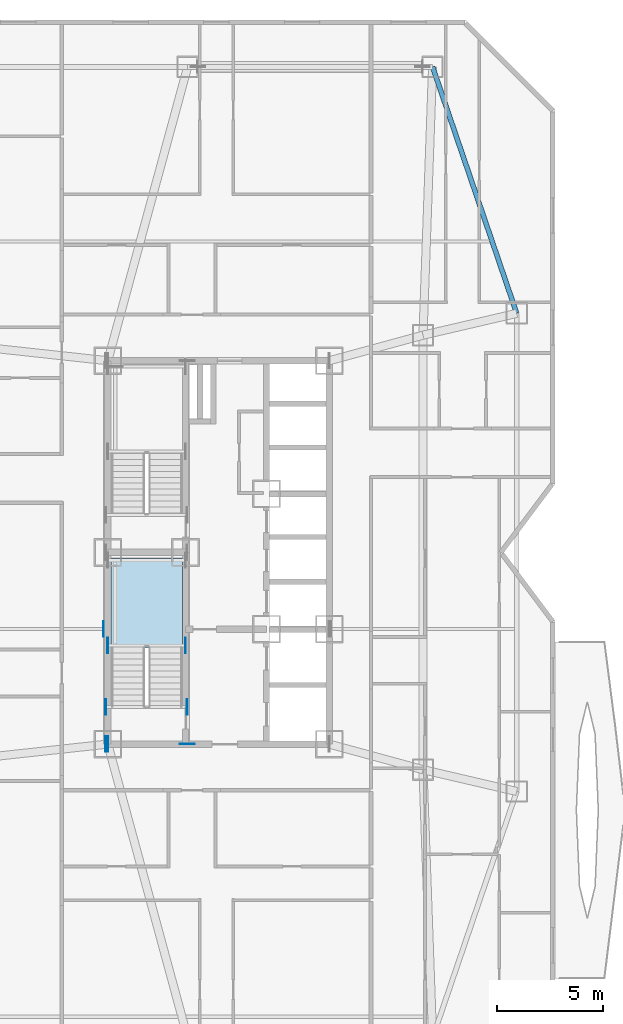
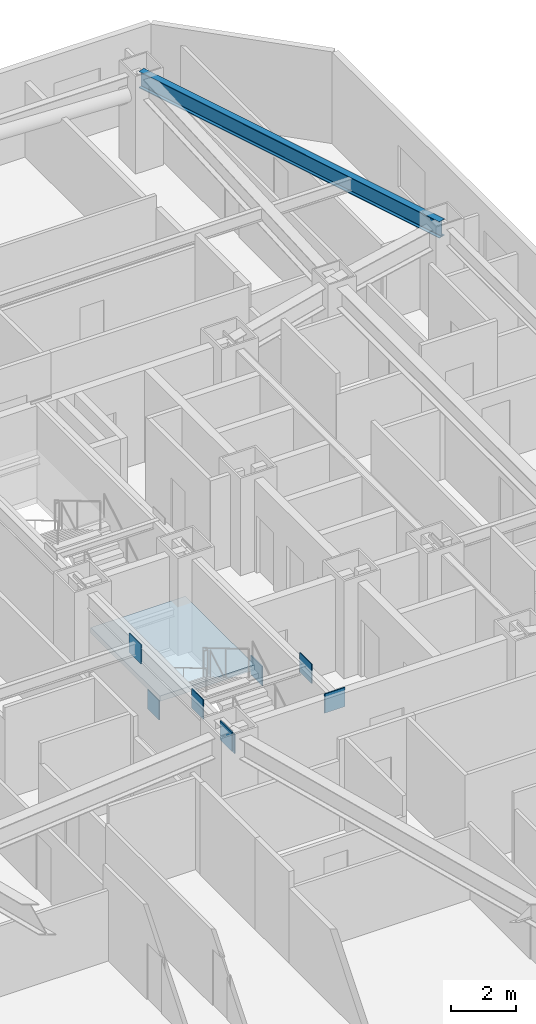
# One storey, part 2 of 16: 8 plates, 1 beam, 1 slab, 1 element without a shape of its own.
"""IFC4 building model written with IfcOpenShell, lengths in metres."""

from ifc_helpers import new_model, si_unit, direction, frame, origin, origin_2d, place, context, subcontext, project, spatial, polyline, rectangle, i_section, outline, extrude, material, layer, layer_set, material_profile, profile_set, type_object, element, aggregate, save


model = new_model("IFC4")

# Units and contexts
model_context = context("Model", 3, precision=1e-05, world=origin(), true_north=direction((0.0, 1.0)))
body_context = subcontext(model_context, "Body", "Model", "MODEL_VIEW")
ifc_project = project(units=[si_unit("LENGTHUNIT", "METRE"), si_unit("AREAUNIT", "SQUARE_METRE"), si_unit("VOLUMEUNIT", "CUBIC_METRE"), si_unit("PLANEANGLEUNIT", "RADIAN"), si_unit("MASSUNIT", "GRAM", prefix="KILO")], contexts=[model_context])

# Site, building, storey
site_placement = place(None, origin())
site = spatial("IfcSite", under=ifc_project, at=site_placement, CompositionType="ELEMENT")
building_placement = place(site_placement, origin())
building = spatial("IfcBuilding", under=site, at=building_placement, Name="Khamvora Tower", CompositionType="ELEMENT")
storey_placement = place(building_placement, frame((0.0, 0.0, 77.10009765625)))
storey = spatial("IfcBuildingStorey", under=building, at=storey_placement, Name="L19", CompositionType="ELEMENT", Elevation=77.10009765625)

# Beam
ifc_material_1 = material(Name="Steel S355", Category="steel")
ifc_material_profile = material_profile(ifc_material_1, i_section(OverallWidth=0.22998046875, OverallDepth=0.616943359375, WebThickness=0.012939453125, FlangeThickness=0.02197265625, FilletRadius=0.013916015625, at=origin_2d()), Name="W610x140")
ifc_profile_set = profile_set([ifc_material_profile], Name="Steel S355")
beam_type = type_object("IfcBeamType", Name="BM-SP-W610x140", PredefinedType="SPANDREL", material=ifc_profile_set)
beam_placement = place(storey_placement, frame((48.199951171875, 39.22509765625, 3.121826171875), z_axis=(-0.322962893199, 0.946411628002, 0.0), x_axis=(-0.946411628002, -0.322962893199, 0.0)))
element("IfcBeam", 1, at=beam_placement, inside=storey, type_object=beam_type, Name="L19 perimeter spandrel beam E2-N4", PredefinedType="SPANDREL", context=body_context, shape_type="SweptSolid", body=[
    extrude(i_section(OverallWidth=0.22998046875, OverallDepth=0.616943359375, WebThickness=0.012939453125, FlangeThickness=0.02197265625, FilletRadius=0.013916015625, at=origin_2d()), origin(), (0.0, 0.0, 1.0), 12.23046875),
])

# Plates
ifc_material_2 = material(Name="Steel S460", Category="steel")
ifc_layer_1 = layer(ifc_material_2, 0.034912109375)
ifc_layer_set_1 = layer_set([ifc_layer_1], Name="Steel S460")
plate_type = type_object("IfcPlateType", Name="PL-EMB-35", PredefinedType="SHEET", material=ifc_layer_set_1)
for number, where, z_axis, x_axis, name in (
    (2, (29.0, 23.635009765625, 1.1337890625), (0.0, 0.0, 1.0), (1.0, 0.0, 0.0), "L19 core shear wall cast-in embed plate 0562"),
    (3, (32.64990234375, 23.635009765625, 1.1337890625), (0.0, 0.0, 1.0), (1.0, 0.0, 0.0), "L19 core shear wall cast-in embed plate 0563"),
    (4, (29.0, 19.0, 2.68408203125), (0.0, 0.0, 1.0), (1.0, 0.0, 0.0), "L19 core shear wall cast-in embed plate 0571"),
    (5, (28.89990234375, 19.0, 2.8037109375), (0.0, 0.0, 1.0), (1.0, 0.0, 0.0), "L19 core shear wall cast-in embed plate 0575"),
):
    element("IfcPlate", number, at=place(storey_placement, frame(where, z_axis=z_axis, x_axis=x_axis)), inside=storey, type_object=plate_type, Name=name, PredefinedType="SHEET", context=body_context, shape_type="SweptSolid", body=[
        extrude(rectangle(XDim=0.034912109375, YDim=0.719970703125, at=origin_2d()), origin(), (0.0, 0.0, 1.0), 0.719970703125),
    ])
plate_placement = place(storey_placement, frame((32.72998046875, 19.0, 2.8037109375), z_axis=(0.0, 0.0, 1.0), x_axis=(1.0, 0.0, 0.0)))
element("IfcPlate", 6, at=plate_placement, inside=storey, type_object=plate_type, Name="L19 core shear wall cast-in embed plate 0578", PredefinedType="SHEET", context=body_context, shape_type="SweptSolid", body=[
    extrude(rectangle(XDim=0.719970703125, YDim=0.034912109375, at=origin_2d()), origin(), (0.0, 0.0, 1.0), 0.719970703125),
])
for number, where, z_axis, x_axis, name in (
    (7, (28.89990234375, 20.75, 2.94384765625), (0.0, 0.0, 1.0), (1.0, 0.0, 0.0), "L19 core shear wall cast-in embed plate 0584"),
    (8, (32.72998046875, 20.75, 2.94384765625), (0.0, 0.0, 1.0), (1.0, 0.0, 0.0), "L19 core shear wall cast-in embed plate 0585"),
    (9, (28.800048828125, 24.39990234375, 2.83984375), (0.0, 0.0, 1.0), (1.0, 0.0, 0.0), "L19 core shear wall cast-in embed plate 0588"),
):
    element("IfcPlate", number, at=place(storey_placement, frame(where, z_axis=z_axis, x_axis=x_axis)), inside=storey, type_object=plate_type, Name=name, PredefinedType="SHEET", context=body_context, shape_type="SweptSolid", body=[
        extrude(rectangle(XDim=0.034912109375, YDim=0.719970703125, at=origin_2d()), origin(), (0.0, 0.0, 1.0), 0.719970703125),
    ])

# Stair, slab
ifc_material_3 = material(Name="Concrete C40/50", Category="concrete")
stair_type = type_object("IfcStairType", Name="STR-ST-01", PredefinedType="HALF_TURN_STAIR", material=ifc_material_3)
stair_placement = place(storey_placement, origin())
stair = element("IfcStair", 10, at=stair_placement, inside=storey, type_object=stair_type, Name="L19 South Tower Exit Stair ST-01", PredefinedType="HALF_TURN_STAIR")
ifc_layer_2 = layer(ifc_material_3, 0.199951171875)
ifc_layer_set_2 = layer_set([ifc_layer_2], Name="Concrete C40/50")
slab_type = type_object("IfcSlabType", Name="SLB-LND-200", PredefinedType="LANDING", material=ifc_layer_set_2)
slab_placement = place(storey_placement, frame((0.0, 0.0, 1.625)))
slab = element("IfcSlab", 11, at=slab_placement, type_object=slab_type, Name="ST-01 landing 1", PredefinedType="LANDING", context=body_context, shape_type="SweptSolid", body=[
    extrude(outline(polyline([(32.5, 23.514892578125), (32.5, 27.75), (29.14990234375, 27.75), (29.14990234375, 23.514892578125), (32.5, 23.514892578125)])), origin(), (0.0, 0.0, 1.0), 0.199951171875),
])
aggregate(stair, [slab])

save(model, "model.ifc")
